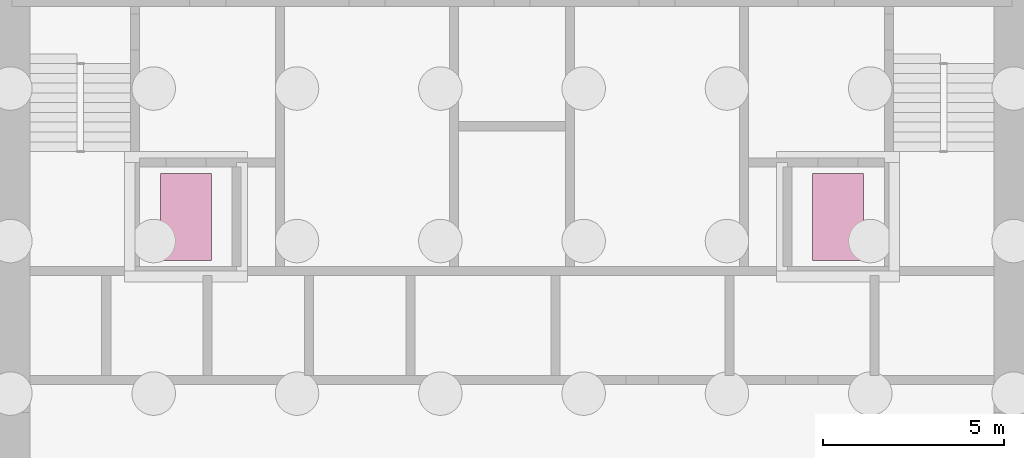
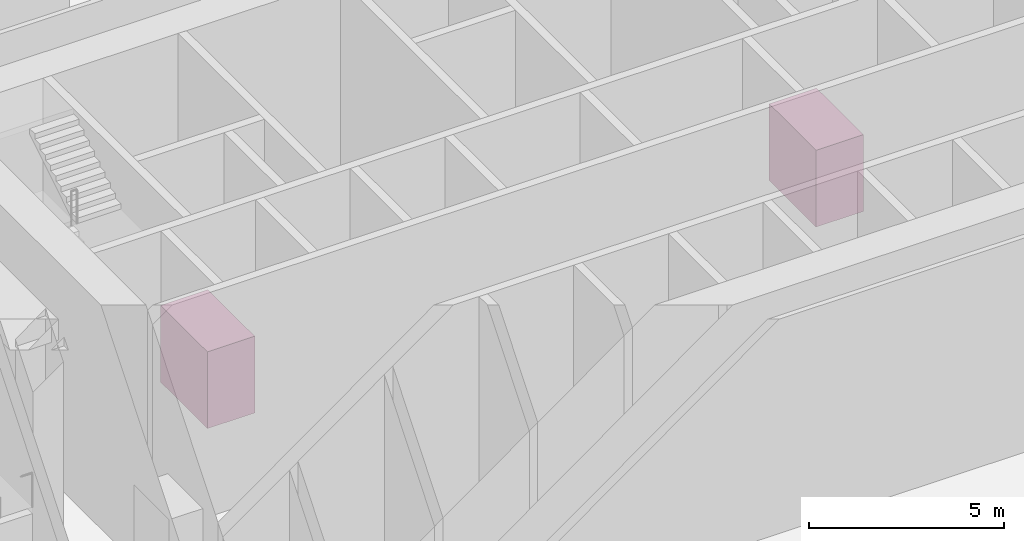
# One storey, part 30 of 30: 2 transport elements.
"""IFC4 building model written with IfcOpenShell, lengths in metres."""

from ifc_helpers import new_model, si_unit, direction, frame, origin, origin_2d, place, context, subcontext, project, spatial, rectangle, extrude, material, type_object, element, save


model = new_model("IFC4")

# Units and contexts
model_context = context("Model", 3, precision=1e-05, world=origin(), true_north=direction((0.0, 1.0)))
body_context = subcontext(model_context, "Body", "Model", "MODEL_VIEW")
ifc_project = project(units=[si_unit("LENGTHUNIT", "METRE"), si_unit("AREAUNIT", "SQUARE_METRE"), si_unit("VOLUMEUNIT", "CUBIC_METRE"), si_unit("PLANEANGLEUNIT", "RADIAN"), si_unit("MASSUNIT", "GRAM", prefix="KILO")], contexts=[model_context])

# Site, building, storey
site_placement = place(None, origin())
site = spatial("IfcSite", under=ifc_project, at=site_placement, CompositionType="ELEMENT")
building_placement = place(site_placement, origin())
building = spatial("IfcBuilding", under=site, at=building_placement, Name="Isbrekke Arena Tower", CompositionType="ELEMENT")
storey_placement = place(building_placement, frame((0.0, 0.0, -7.0)))
storey = spatial("IfcBuildingStorey", under=building, at=storey_placement, Name="B1", CompositionType="ELEMENT", Elevation=-7.0)

# Transport elements
ifc_material = material(Name="Steel lift car", Category="steel")
transport_element_type = type_object("IfcTransportElementType", Name="LF FIRE-FIGHTING LIFT CAR 1400 x 2400 1600 KG", PredefinedType="ELEVATOR", material=ifc_material)
for number, where, z_axis, x_axis, name in (
    (1, (9.0, 17.5, 0.0), (0.0, 0.0, 1.0), (1.0, 0.0, 0.0), "LF1 fire-fighting lifts"),
    (2, (-9.0, 17.5, 0.0), (0.0, 0.0, 1.0), (1.0, 0.0, 0.0), "LF2 fire-fighting lifts"),
):
    element("IfcTransportElement", number, at=place(storey_placement, frame(where, z_axis=z_axis, x_axis=x_axis)), inside=storey, type_object=transport_element_type, Name=name, PredefinedType="ELEVATOR", context=body_context, shape_type="SweptSolid", body=[
        extrude(rectangle(XDim=1.39990234375, YDim=2.39990234375, at=origin_2d()), origin(), (0.0, 0.0, 1.0), 2.39990234375),
    ])

save(model, "model.ifc")
